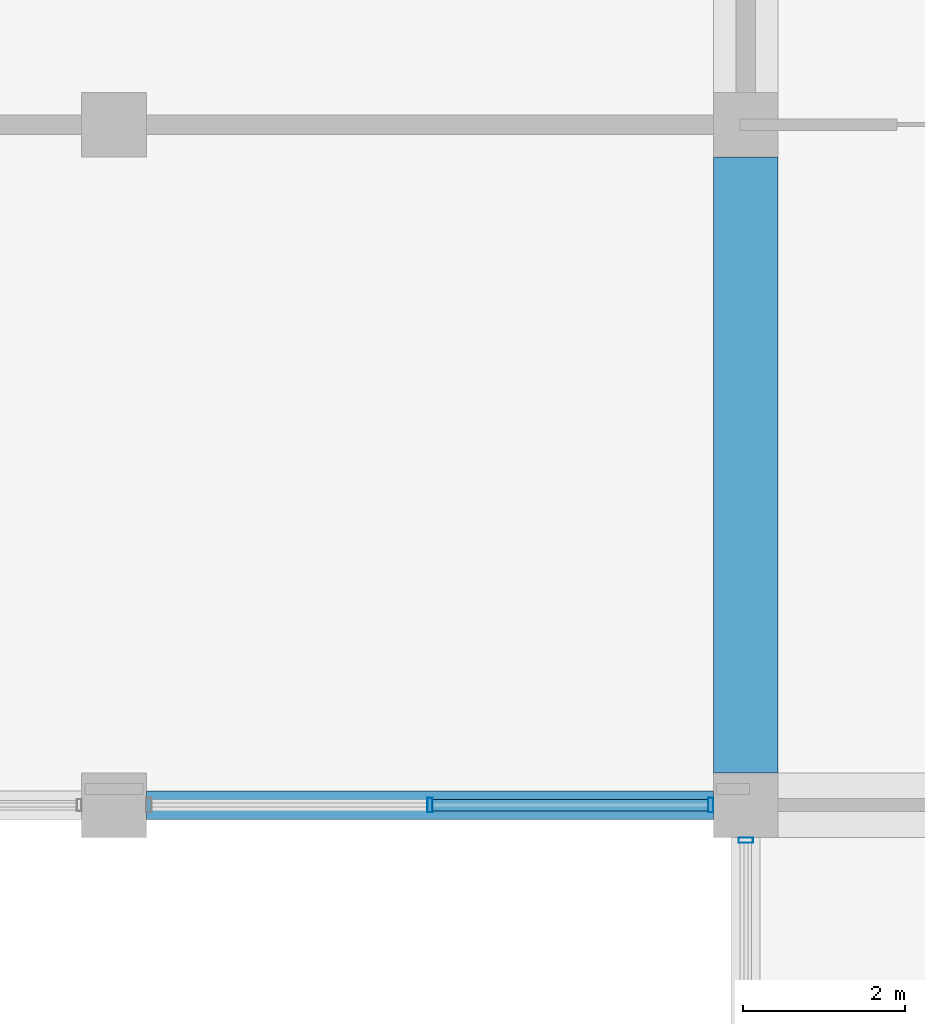
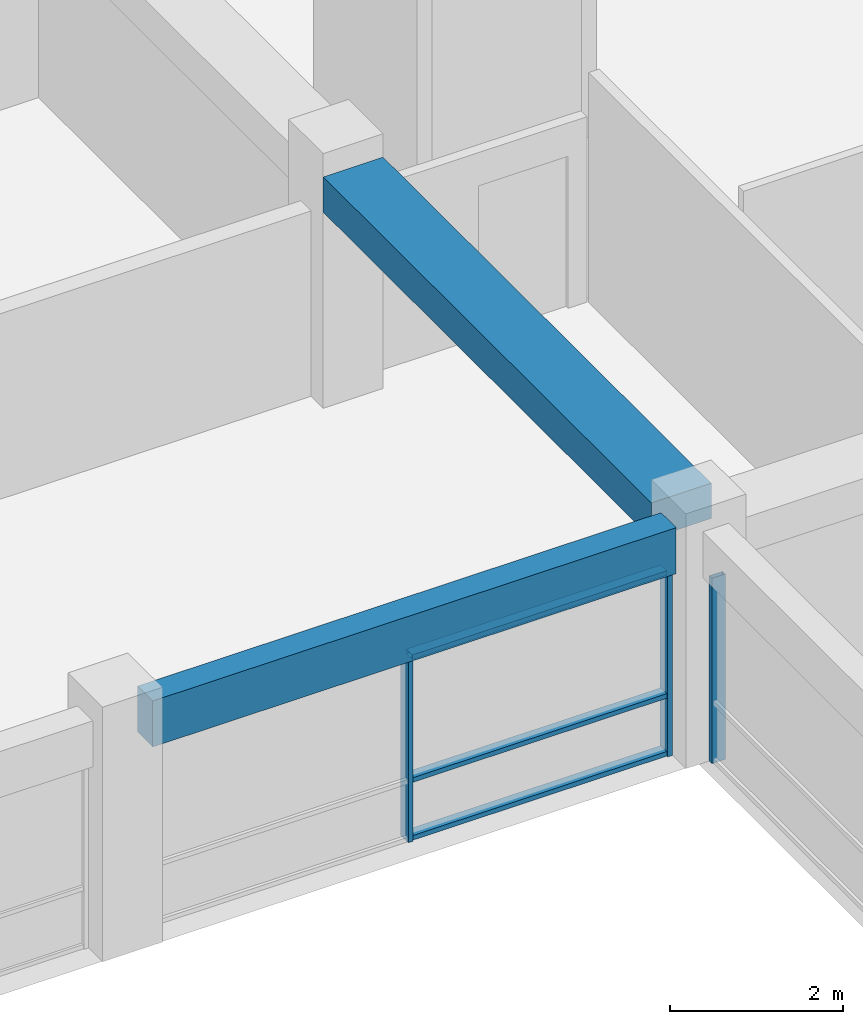
# One storey, part 18 of 50: 6 members, 2 beams, 2 elements without a shape of their own.
"""IFC4 building model written with IfcOpenShell, lengths in metres."""

from ifc_helpers import new_model, si_unit, direction, frame, origin, origin_2d, place, context, subcontext, project, spatial, rectangle, hollow_rectangle, extrude, material, material_profile, profile_set, type_object, element, aggregate, save


model = new_model("IFC4")

# Units and contexts
model_context = context("Model", 3, precision=1e-05, world=origin(), true_north=direction((0.0, 1.0)))
body_context = subcontext(model_context, "Body", "Model", "MODEL_VIEW")
ifc_project = project(units=[si_unit("LENGTHUNIT", "METRE"), si_unit("AREAUNIT", "SQUARE_METRE"), si_unit("VOLUMEUNIT", "CUBIC_METRE"), si_unit("PLANEANGLEUNIT", "RADIAN"), si_unit("MASSUNIT", "GRAM", prefix="KILO"), si_unit("THERMODYNAMICTEMPERATUREUNIT", "KELVIN"), si_unit("POWERUNIT", "WATT")], contexts=[model_context])

# Site, building, storey
site_placement = place(None, origin())
site = spatial("IfcSite", under=ifc_project, at=site_placement, CompositionType="ELEMENT")
building_placement = place(site_placement, origin())
building = spatial("IfcBuilding", under=site, at=building_placement, Name="Srebrne Nadtorze General Hospital", CompositionType="ELEMENT")
storey_placement = place(building_placement, frame((0.0, 0.0, 14.39990234375)))
storey = spatial("IfcBuildingStorey", under=building, at=storey_placement, Name="L03", CompositionType="ELEMENT", Elevation=14.39990234375)

# Curtain wall, members
ifc_material_1 = material(Name="Anodised Aluminium", Category="aluminium")
curtain_wall_type_1 = type_object("IfcCurtainWallType", Name="Unitised curtain wall 7000x2620", PredefinedType="NOTDEFINED", material=ifc_material_1)
curtain_wall_1_placement = place(storey_placement, origin())
curtain_wall_1 = element("IfcCurtainWall", 1, at=curtain_wall_1_placement, inside=storey, type_object=curtain_wall_type_1, Name="Curtain wall CW-093", PredefinedType="NOTDEFINED")
ifc_material_2 = material(Name="Anodised Aluminium", Category="aluminium")
ifc_material_profile_1 = material_profile(ifc_material_2, hollow_rectangle(XDim=0.06494140625, YDim=0.179931640625, WallThickness=0.00390625, at=origin_2d()), Name="AL-MUL-65x180")
ifc_profile_set_1 = profile_set([ifc_material_profile_1], Name="Anodised Aluminium")
member_type_1 = type_object("IfcMemberType", Name="Curtain mullion 65x180", PredefinedType="MULLION", material=ifc_profile_set_1)
member_1_placement = place(storey_placement, frame((128.699951171875, 25.199951171875, 0.0), z_axis=(0.0, 0.0, 1.0), x_axis=(1.0, 0.0, 0.0)))
member_1 = element("IfcMember", 2, at=member_1_placement, type_object=member_type_1, Name="CW-093 mullion 2", PredefinedType="MULLION", context=body_context, shape_type="SweptSolid", body=[
    extrude(hollow_rectangle(XDim=0.06494140625, YDim=0.179931640625, WallThickness=0.00390625, at=origin_2d()), origin(), (0.0, 0.0, 1.0), 2.6201171875),
])
member_2_placement = place(storey_placement, frame((132.16748046875, 25.199951171875, 0.0), z_axis=(0.0, 0.0, 1.0), x_axis=(1.0, 0.0, 0.0)))
member_2 = element("IfcMember", 3, at=member_2_placement, type_object=member_type_1, Name="CW-093 mullion 3", PredefinedType="MULLION", context=body_context, shape_type="SweptSolid", body=[
    extrude(hollow_rectangle(XDim=0.06494140625, YDim=0.179931640625, WallThickness=0.00390625, at=origin_2d()), origin(), (0.0, 0.0, 1.0), 2.6201171875),
])

# Curtain wall, member
ifc_material_3 = material(Name="Anodised Aluminium", Category="aluminium")
curtain_wall_type_2 = type_object("IfcCurtainWallType", Name="Unitised curtain wall 7600x2620", PredefinedType="NOTDEFINED", material=ifc_material_3)
curtain_wall_2_placement = place(storey_placement, origin())
curtain_wall_2 = element("IfcCurtainWall", 4, at=curtain_wall_2_placement, inside=storey, type_object=curtain_wall_type_2, Name="Curtain wall CW-101", PredefinedType="NOTDEFINED")
member_3_placement = place(storey_placement, frame((132.60009765625, 24.767578125, 0.0), z_axis=(0.0, 0.0, 1.0), x_axis=(0.0, 1.0, 0.0)))
member_3 = element("IfcMember", 5, at=member_3_placement, type_object=member_type_1, Name="CW-101 mullion 3", PredefinedType="MULLION", context=body_context, shape_type="SweptSolid", body=[
    extrude(hollow_rectangle(XDim=0.06494140625, YDim=0.179931640625, WallThickness=0.00390625, at=origin_2d()), origin(), (0.0, 0.0, 1.0), 2.6201171875),
])
aggregate(curtain_wall_2, [member_3])

# Member
ifc_material_4 = material(Name="Anodised Aluminium", Category="aluminium")
ifc_material_profile_2 = material_profile(ifc_material_4, hollow_rectangle(XDim=0.06494140625, YDim=0.139892578125, WallThickness=0.00390625, at=origin_2d()), Name="AL-TRN-65x140")
ifc_profile_set_2 = profile_set([ifc_material_profile_2], Name="Anodised Aluminium")
member_type_2 = type_object("IfcMemberType", Name="Curtain transom 65x140", PredefinedType="USERDEFINED", material=ifc_profile_set_2)
member_4_placement = place(storey_placement, frame((128.732421875, 25.199951171875, 0.03271484375), z_axis=(1.0, 0.0, 0.0), x_axis=(0.0, 0.0, 1.0)))
member_4 = element("IfcMember", 6, at=member_4_placement, type_object=member_type_2, Name="CW-093 transom 2.1", ObjectType="TRANSOM", PredefinedType="USERDEFINED", context=body_context, shape_type="SweptSolid", body=[
    extrude(hollow_rectangle(XDim=0.06494140625, YDim=0.139892578125, WallThickness=0.00390625, at=origin_2d()), origin(), (0.0, 0.0, 1.0), 3.402587890625),
])

member_5_placement = place(storey_placement, frame((128.732421875, 25.199951171875, 0.85009765625), z_axis=(1.0, 0.0, 0.0), x_axis=(0.0, 0.0, 1.0)))
member_5 = element("IfcMember", 7, at=member_5_placement, type_object=member_type_2, Name="CW-093 transom 2.2", ObjectType="TRANSOM", PredefinedType="USERDEFINED", context=body_context, shape_type="SweptSolid", body=[
    extrude(hollow_rectangle(XDim=0.06494140625, YDim=0.139892578125, WallThickness=0.00390625, at=origin_2d()), origin(), (0.0, 0.0, 1.0), 3.402587890625),
])

member_6_placement = place(storey_placement, frame((128.732421875, 25.199951171875, 2.587646484375), z_axis=(1.0, 0.0, 0.0), x_axis=(0.0, 0.0, 1.0)))
member_6 = element("IfcMember", 8, at=member_6_placement, type_object=member_type_2, Name="CW-093 transom 2.3", ObjectType="TRANSOM", PredefinedType="USERDEFINED", context=body_context, shape_type="SweptSolid", body=[
    extrude(hollow_rectangle(XDim=0.06494140625, YDim=0.139892578125, WallThickness=0.00390625, at=origin_2d()), origin(), (0.0, 0.0, 1.0), 3.402587890625),
])

aggregate(curtain_wall_1, [member_1, member_2, member_4, member_5, member_6])

# Beams
ifc_material_5 = material(Name="Concrete C35/45", Category="concrete")
ifc_material_profile_3 = material_profile(ifc_material_5, rectangle(XDim=0.35009765625, YDim=0.64990234375, at=origin_2d()), Name="RC-BM-350x650")
ifc_profile_set_3 = profile_set([ifc_material_profile_3], Name="Concrete C35/45")
beam_type_1 = type_object("IfcBeamType", Name="Edge beam RC 350x650", PredefinedType="BEAM", material=ifc_profile_set_3)
beam_1_placement = place(storey_placement, frame((125.199951171875, 25.199951171875, 2.945068359375), z_axis=(1.0, 0.0, 0.0), x_axis=(0.0, 1.0, 0.0)))
element("IfcBeam", 9, at=beam_1_placement, inside=storey, type_object=beam_type_1, Name="Beam BM-L03-X-0738", PredefinedType="BEAM", context=body_context, shape_type="SweptSolid", body=[
    extrude(rectangle(XDim=0.35009765625, YDim=0.64990234375, at=origin_2d()), origin(), (0.0, 0.0, 1.0), 7.0),
])
ifc_material_6 = material(Name="Concrete C40/50", Category="concrete")
ifc_material_profile_4 = material_profile(ifc_material_6, rectangle(XDim=0.800048828125, YDim=0.5, at=origin_2d()), Name="RC-BM-800x500")
ifc_profile_set_4 = profile_set([ifc_material_profile_4], Name="Concrete C40/50")
beam_type_2 = type_object("IfcBeamType", Name="Primary beam RC 800x500", PredefinedType="BEAM", material=ifc_profile_set_4)
beam_2_placement = place(storey_placement, frame((132.60009765625, 25.60009765625, 3.02001953125), z_axis=(0.0, 1.0, 0.0), x_axis=(-1.0, 0.0, 0.0)))
element("IfcBeam", 10, at=beam_2_placement, inside=storey, type_object=beam_type_2, Name="Beam BM-L03-Y-0840", PredefinedType="BEAM", context=body_context, shape_type="SweptSolid", body=[
    extrude(rectangle(XDim=0.800048828125, YDim=0.5, at=origin_2d()), origin(), (0.0, 0.0, 1.0), 7.599853515625),
])

save(model, "model.ifc")
